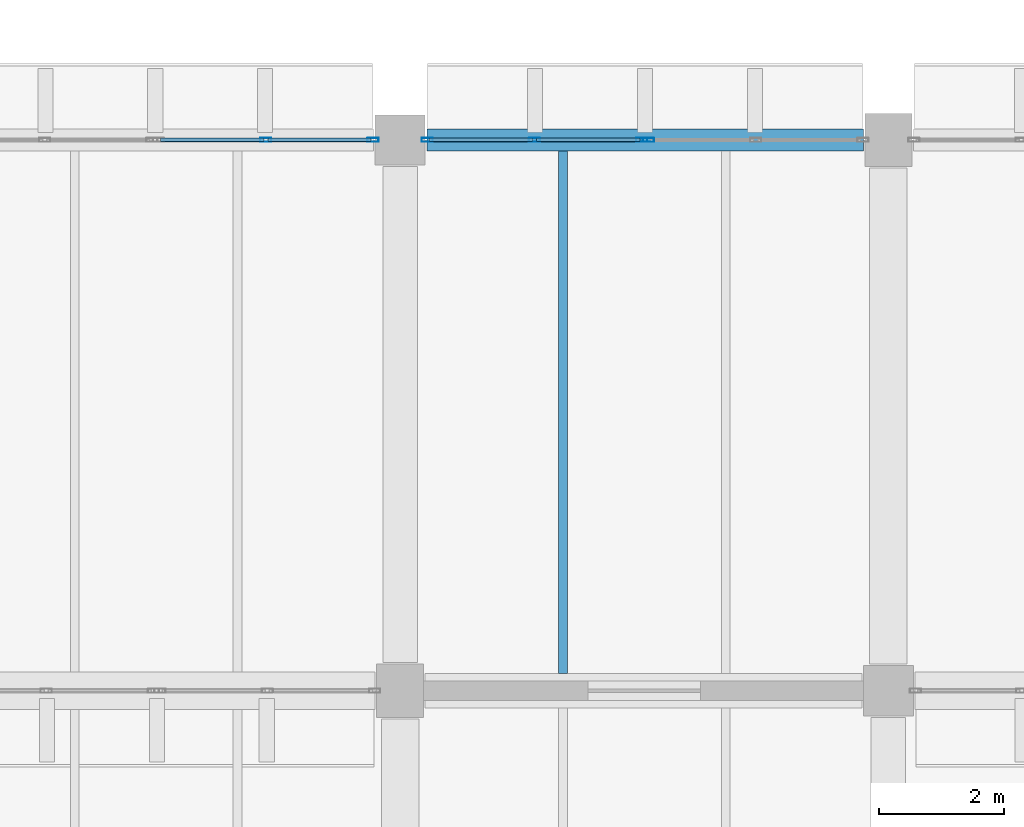
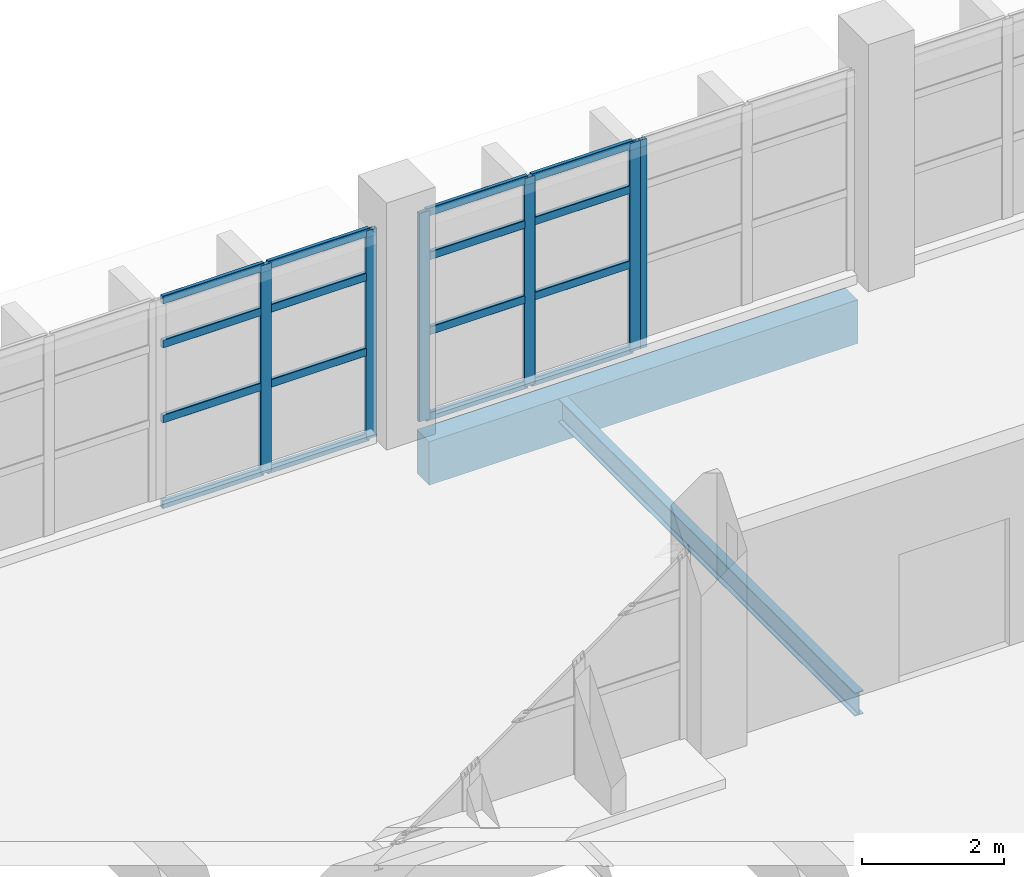
# One storey, part 21 of 76: 22 members, 2 beams, 3 elements without a shape of their own.
"""IFC4 building model written with IfcOpenShell, lengths in metres."""

from ifc_helpers import new_model, si_unit, direction, frame, origin, origin_2d, place, context, subcontext, project, spatial, rectangle, hollow_rectangle, i_section, extrude, material, material_profile, profile_set, type_object, element, aggregate, save


model = new_model("IFC4")

# Units and contexts
model_context = context("Model", 3, precision=1e-05, world=origin(), true_north=direction((0.0, 1.0)))
body_context = subcontext(model_context, "Body", "Model", "MODEL_VIEW")
ifc_project = project(units=[si_unit("LENGTHUNIT", "METRE"), si_unit("AREAUNIT", "SQUARE_METRE"), si_unit("VOLUMEUNIT", "CUBIC_METRE"), si_unit("PLANEANGLEUNIT", "RADIAN"), si_unit("MASSUNIT", "GRAM", prefix="KILO")], contexts=[model_context])

# Site, building, storey
site_placement = place(None, origin())
site = spatial("IfcSite", under=ifc_project, at=site_placement, CompositionType="ELEMENT")
building_placement = place(site_placement, origin())
building = spatial("IfcBuilding", under=site, at=building_placement, Name="Varnakota Cinema and Media Centre", CompositionType="ELEMENT")
storey_placement = place(building_placement, origin())
storey = spatial("IfcBuildingStorey", under=building, at=storey_placement, Name="L00", CompositionType="ELEMENT", Elevation=0.0)

# Beams
ifc_material_1 = material(Name="Concrete M40", Category="concrete")
ifc_material_profile_1 = material_profile(ifc_material_1, rectangle(XDim=0.35009765625, YDim=0.75, at=origin_2d()), Name="RCB 350x750")
ifc_profile_set_1 = profile_set([ifc_material_profile_1], Name="Concrete M40")
beam_type_1 = type_object("IfcBeamType", Name="BM-SP-350x750", PredefinedType="SPANDREL", material=ifc_profile_set_1)
beam_1_placement = place(storey_placement, frame((59.824951171875, 44.0, -0.655029296875), z_axis=(1.0, 0.0, 0.0), x_axis=(0.0, 1.0, 0.0)))
element("IfcBeam", 1, at=beam_1_placement, inside=storey, type_object=beam_type_1, Name="L00 girder H-J/6", PredefinedType="SPANDREL", context=body_context, shape_type="SweptSolid", body=[
    extrude(rectangle(XDim=0.35009765625, YDim=0.75, at=origin_2d()), origin(), (0.0, 0.0, 1.0), 6.97509765625),
])
ifc_material_2 = material(Name="Structural steel Grade 350 (E350)", Category="steel")
ifc_material_profile_2 = material_profile(ifc_material_2, i_section(OverallWidth=0.139892578125, OverallDepth=0.39990234375, WebThickness=0.0087890625, FlangeThickness=0.01611328125, FilletRadius=0.013916015625, at=origin_2d()), Name="ISMB 400")
ifc_profile_set_2 = profile_set([ifc_material_profile_2], Name="Structural steel Grade 350 (E350)")
beam_type_2 = type_object("IfcBeamType", Name="BM-ST-ISMB400", PredefinedType="JOIST", material=ifc_profile_set_2)
beam_2_placement = place(storey_placement, frame((62.0, 35.47509765625, -0.47998046875), z_axis=(0.0, 1.0, 0.0), x_axis=(-1.0, 0.0, 0.0)))
element("IfcBeam", 2, at=beam_2_placement, inside=storey, type_object=beam_type_2, Name="L00 steel joist H-J/5-6 #1", PredefinedType="JOIST", context=body_context, shape_type="SweptSolid", body=[
    extrude(i_section(OverallWidth=0.139892578125, OverallDepth=0.39990234375, WebThickness=0.0087890625, FlangeThickness=0.01611328125, FilletRadius=0.013916015625, at=origin_2d()), origin(), (0.0, 0.0, 1.0), 8.349853515625),
])

# Curtain wall, members
ifc_material_3 = material(Name="Thermally broken anodised aluminium AW-6063", Category="aluminium")
curtain_wall_type = type_object("IfcCurtainWallType", Name="CW-STD-349x358", PredefinedType="USERDEFINED", material=ifc_material_3)
curtain_wall_1_placement = place(storey_placement, origin())
curtain_wall_1 = element("IfcCurtainWall", 3, at=curtain_wall_1_placement, inside=storey, type_object=curtain_wall_type, Name="L00 curtain wall CW-L00-LINK-N-02-2", ObjectType="UNITISED CURTAIN WALL", PredefinedType="USERDEFINED")
ifc_material_4 = material(Name="Thermally broken anodised aluminium AW-6063", Category="aluminium")
ifc_material_profile_3 = material_profile(ifc_material_4, hollow_rectangle(XDim=0.06494140625, YDim=0.179931640625, WallThickness=0.00390625, InnerFilletRadius=0.00390625, OuterFilletRadius=0.008056640625, at=origin_2d()), Name="AL-MULLION 180x65x4")
ifc_profile_set_3 = profile_set([ifc_material_profile_3], Name="Thermally broken anodised aluminium AW-6063")
member_type_1 = type_object("IfcMemberType", Name="CWM-AL-180", PredefinedType="MULLION", material=ifc_profile_set_3)
member_1_placement = place(storey_placement, frame((57.253662109375, 44.0, 0.0), z_axis=(0.0, 0.0, 1.0), x_axis=(0.0, 1.0, 0.0)))
member_1 = element("IfcMember", 4, at=member_1_placement, type_object=member_type_1, Name="CW08 mullion 2", PredefinedType="MULLION", context=body_context, shape_type="SweptSolid", body=[
    extrude(hollow_rectangle(XDim=0.06494140625, YDim=0.179931640625, WallThickness=0.00390625, InnerFilletRadius=0.00390625, OuterFilletRadius=0.008056640625, at=origin_2d()), origin(), (0.0, 0.0, 1.0), 3.5849609375),
])
member_2_placement = place(storey_placement, frame((58.967529296875, 44.0, 0.0), z_axis=(0.0, 0.0, 1.0), x_axis=(0.0, 1.0, 0.0)))
member_2 = element("IfcMember", 5, at=member_2_placement, type_object=member_type_1, Name="CW08 mullion 3", PredefinedType="MULLION", context=body_context, shape_type="SweptSolid", body=[
    extrude(hollow_rectangle(XDim=0.06494140625, YDim=0.179931640625, WallThickness=0.00390625, InnerFilletRadius=0.00390625, OuterFilletRadius=0.008056640625, at=origin_2d()), origin(), (0.0, 0.0, 1.0), 3.5849609375),
])

curtain_wall_2_placement = place(storey_placement, origin())
curtain_wall_2 = element("IfcCurtainWall", 6, at=curtain_wall_2_placement, inside=storey, type_object=curtain_wall_type, Name="L00 curtain wall CW-L00-LINK-N-03-1", ObjectType="UNITISED CURTAIN WALL", PredefinedType="USERDEFINED")
member_3_placement = place(storey_placement, frame((59.83251953125, 44.0, 0.0), z_axis=(0.0, 0.0, 1.0), x_axis=(0.0, 1.0, 0.0)))
member_3 = element("IfcMember", 7, at=member_3_placement, type_object=member_type_1, Name="CW08 mullion 1", PredefinedType="MULLION", context=body_context, shape_type="SweptSolid", body=[
    extrude(hollow_rectangle(XDim=0.06494140625, YDim=0.179931640625, WallThickness=0.00390625, InnerFilletRadius=0.00390625, OuterFilletRadius=0.008056640625, at=origin_2d()), origin(), (0.0, 0.0, 1.0), 3.5849609375),
])
member_4_placement = place(storey_placement, frame((61.546142578125, 44.0, 0.0), z_axis=(0.0, 0.0, 1.0), x_axis=(0.0, 1.0, 0.0)))
member_4 = element("IfcMember", 8, at=member_4_placement, type_object=member_type_1, Name="CW08 mullion 2", PredefinedType="MULLION", context=body_context, shape_type="SweptSolid", body=[
    extrude(hollow_rectangle(XDim=0.06494140625, YDim=0.179931640625, WallThickness=0.00390625, InnerFilletRadius=0.00390625, OuterFilletRadius=0.008056640625, at=origin_2d()), origin(), (0.0, 0.0, 1.0), 3.5849609375),
])
member_5_placement = place(storey_placement, frame((63.260009765625, 44.0, 0.0), z_axis=(0.0, 0.0, 1.0), x_axis=(0.0, 1.0, 0.0)))
member_5 = element("IfcMember", 9, at=member_5_placement, type_object=member_type_1, Name="CW08 mullion 3", PredefinedType="MULLION", context=body_context, shape_type="SweptSolid", body=[
    extrude(hollow_rectangle(XDim=0.06494140625, YDim=0.179931640625, WallThickness=0.00390625, InnerFilletRadius=0.00390625, OuterFilletRadius=0.008056640625, at=origin_2d()), origin(), (0.0, 0.0, 1.0), 3.5849609375),
])

# Curtain wall, member
curtain_wall_3_placement = place(storey_placement, origin())
curtain_wall_3 = element("IfcCurtainWall", 10, at=curtain_wall_3_placement, inside=storey, type_object=curtain_wall_type, Name="L00 curtain wall CW-L00-LINK-N-03-2", ObjectType="UNITISED CURTAIN WALL", PredefinedType="USERDEFINED")
member_6_placement = place(storey_placement, frame((63.364990234375, 44.0, 0.0), z_axis=(0.0, 0.0, 1.0), x_axis=(0.0, 1.0, 0.0)))
member_6 = element("IfcMember", 11, at=member_6_placement, type_object=member_type_1, Name="CW08 mullion 1", PredefinedType="MULLION", context=body_context, shape_type="SweptSolid", body=[
    extrude(hollow_rectangle(XDim=0.06494140625, YDim=0.179931640625, WallThickness=0.00390625, InnerFilletRadius=0.00390625, OuterFilletRadius=0.008056640625, at=origin_2d()), origin(), (0.0, 0.0, 1.0), 3.5849609375),
])
aggregate(curtain_wall_3, [member_6])

# Member
ifc_material_5 = material(Name="Thermally broken anodised aluminium AW-6063", Category="aluminium")
ifc_material_profile_4 = material_profile(ifc_material_5, hollow_rectangle(XDim=0.06494140625, YDim=0.139892578125, WallThickness=0.00390625, InnerFilletRadius=0.00390625, OuterFilletRadius=0.008056640625, at=origin_2d()), Name="AL-TRANSOM 140x65x4")
ifc_profile_set_4 = profile_set([ifc_material_profile_4], Name="Thermally broken anodised aluminium AW-6063")
member_type_2 = type_object("IfcMemberType", Name="CWT-AL-140", PredefinedType="USERDEFINED", material=ifc_profile_set_4)
member_7_placement = place(storey_placement, frame((55.572509765625, 44.0, 0.032470703125), z_axis=(1.0, 0.0, 0.0), x_axis=(0.0, 1.0, 0.0)))
member_7 = element("IfcMember", 12, at=member_7_placement, type_object=member_type_2, Name="CW08 transom 1.1", ObjectType="TRANSOM", PredefinedType="USERDEFINED", context=body_context, shape_type="SweptSolid", body=[
    extrude(hollow_rectangle(XDim=0.06494140625, YDim=0.139892578125, WallThickness=0.00390625, InnerFilletRadius=0.00390625, OuterFilletRadius=0.008056640625, at=origin_2d()), origin(), (0.0, 0.0, 1.0), 1.648681640625),
])

member_8_placement = place(storey_placement, frame((55.572509765625, 44.0, 1.505615234375), z_axis=(1.0, 0.0, 0.0), x_axis=(0.0, 1.0, 0.0)))
member_8 = element("IfcMember", 13, at=member_8_placement, type_object=member_type_2, Name="CW08 transom 1.2", ObjectType="TRANSOM", PredefinedType="USERDEFINED", context=body_context, shape_type="SweptSolid", body=[
    extrude(hollow_rectangle(XDim=0.06494140625, YDim=0.139892578125, WallThickness=0.00390625, InnerFilletRadius=0.00390625, OuterFilletRadius=0.008056640625, at=origin_2d()), origin(), (0.0, 0.0, 1.0), 1.648681640625),
])

member_9_placement = place(storey_placement, frame((55.572509765625, 44.0, 2.79638671875), z_axis=(1.0, 0.0, 0.0), x_axis=(0.0, 1.0, 0.0)))
member_9 = element("IfcMember", 14, at=member_9_placement, type_object=member_type_2, Name="CW08 transom 1.3", ObjectType="TRANSOM", PredefinedType="USERDEFINED", context=body_context, shape_type="SweptSolid", body=[
    extrude(hollow_rectangle(XDim=0.06494140625, YDim=0.139892578125, WallThickness=0.00390625, InnerFilletRadius=0.00390625, OuterFilletRadius=0.008056640625, at=origin_2d()), origin(), (0.0, 0.0, 1.0), 1.648681640625),
])

member_10_placement = place(storey_placement, frame((55.572509765625, 44.0, 3.552490234375), z_axis=(1.0, 0.0, 0.0), x_axis=(0.0, 1.0, 0.0)))
member_10 = element("IfcMember", 15, at=member_10_placement, type_object=member_type_2, Name="CW08 transom 1.4", ObjectType="TRANSOM", PredefinedType="USERDEFINED", context=body_context, shape_type="SweptSolid", body=[
    extrude(hollow_rectangle(XDim=0.06494140625, YDim=0.139892578125, WallThickness=0.00390625, InnerFilletRadius=0.00390625, OuterFilletRadius=0.008056640625, at=origin_2d()), origin(), (0.0, 0.0, 1.0), 1.648681640625),
])

member_11_placement = place(storey_placement, frame((57.2861328125, 44.0, 0.032470703125), z_axis=(1.0, 0.0, 0.0), x_axis=(0.0, 1.0, 0.0)))
member_11 = element("IfcMember", 16, at=member_11_placement, type_object=member_type_2, Name="CW08 transom 2.1", ObjectType="TRANSOM", PredefinedType="USERDEFINED", context=body_context, shape_type="SweptSolid", body=[
    extrude(hollow_rectangle(XDim=0.06494140625, YDim=0.139892578125, WallThickness=0.00390625, InnerFilletRadius=0.00390625, OuterFilletRadius=0.008056640625, at=origin_2d()), origin(), (0.0, 0.0, 1.0), 1.64892578125),
])

member_12_placement = place(storey_placement, frame((57.2861328125, 44.0, 1.505615234375), z_axis=(1.0, 0.0, 0.0), x_axis=(0.0, 1.0, 0.0)))
member_12 = element("IfcMember", 17, at=member_12_placement, type_object=member_type_2, Name="CW08 transom 2.2", ObjectType="TRANSOM", PredefinedType="USERDEFINED", context=body_context, shape_type="SweptSolid", body=[
    extrude(hollow_rectangle(XDim=0.06494140625, YDim=0.139892578125, WallThickness=0.00390625, InnerFilletRadius=0.00390625, OuterFilletRadius=0.008056640625, at=origin_2d()), origin(), (0.0, 0.0, 1.0), 1.64892578125),
])

member_13_placement = place(storey_placement, frame((57.2861328125, 44.0, 2.79638671875), z_axis=(1.0, 0.0, 0.0), x_axis=(0.0, 1.0, 0.0)))
member_13 = element("IfcMember", 18, at=member_13_placement, type_object=member_type_2, Name="CW08 transom 2.3", ObjectType="TRANSOM", PredefinedType="USERDEFINED", context=body_context, shape_type="SweptSolid", body=[
    extrude(hollow_rectangle(XDim=0.06494140625, YDim=0.139892578125, WallThickness=0.00390625, InnerFilletRadius=0.00390625, OuterFilletRadius=0.008056640625, at=origin_2d()), origin(), (0.0, 0.0, 1.0), 1.64892578125),
])

member_14_placement = place(storey_placement, frame((57.2861328125, 44.0, 3.552490234375), z_axis=(1.0, 0.0, 0.0), x_axis=(0.0, 1.0, 0.0)))
member_14 = element("IfcMember", 19, at=member_14_placement, type_object=member_type_2, Name="CW08 transom 2.4", ObjectType="TRANSOM", PredefinedType="USERDEFINED", context=body_context, shape_type="SweptSolid", body=[
    extrude(hollow_rectangle(XDim=0.06494140625, YDim=0.139892578125, WallThickness=0.00390625, InnerFilletRadius=0.00390625, OuterFilletRadius=0.008056640625, at=origin_2d()), origin(), (0.0, 0.0, 1.0), 1.64892578125),
])

aggregate(curtain_wall_1, [member_1, member_2, member_7, member_8, member_9, member_10, member_11, member_12, member_13, member_14])

member_15_placement = place(storey_placement, frame((59.864990234375, 44.0, 0.032470703125), z_axis=(1.0, 0.0, 0.0), x_axis=(0.0, 1.0, 0.0)))
member_15 = element("IfcMember", 20, at=member_15_placement, type_object=member_type_2, Name="CW08 transom 1.1", ObjectType="TRANSOM", PredefinedType="USERDEFINED", context=body_context, shape_type="SweptSolid", body=[
    extrude(hollow_rectangle(XDim=0.06494140625, YDim=0.139892578125, WallThickness=0.00390625, InnerFilletRadius=0.00390625, OuterFilletRadius=0.008056640625, at=origin_2d()), origin(), (0.0, 0.0, 1.0), 1.648681640625),
])

member_16_placement = place(storey_placement, frame((59.864990234375, 44.0, 1.505615234375), z_axis=(1.0, 0.0, 0.0), x_axis=(0.0, 1.0, 0.0)))
member_16 = element("IfcMember", 21, at=member_16_placement, type_object=member_type_2, Name="CW08 transom 1.2", ObjectType="TRANSOM", PredefinedType="USERDEFINED", context=body_context, shape_type="SweptSolid", body=[
    extrude(hollow_rectangle(XDim=0.06494140625, YDim=0.139892578125, WallThickness=0.00390625, InnerFilletRadius=0.00390625, OuterFilletRadius=0.008056640625, at=origin_2d()), origin(), (0.0, 0.0, 1.0), 1.648681640625),
])

member_17_placement = place(storey_placement, frame((59.864990234375, 44.0, 2.79638671875), z_axis=(1.0, 0.0, 0.0), x_axis=(0.0, 1.0, 0.0)))
member_17 = element("IfcMember", 22, at=member_17_placement, type_object=member_type_2, Name="CW08 transom 1.3", ObjectType="TRANSOM", PredefinedType="USERDEFINED", context=body_context, shape_type="SweptSolid", body=[
    extrude(hollow_rectangle(XDim=0.06494140625, YDim=0.139892578125, WallThickness=0.00390625, InnerFilletRadius=0.00390625, OuterFilletRadius=0.008056640625, at=origin_2d()), origin(), (0.0, 0.0, 1.0), 1.648681640625),
])

member_18_placement = place(storey_placement, frame((59.864990234375, 44.0, 3.552490234375), z_axis=(1.0, 0.0, 0.0), x_axis=(0.0, 1.0, 0.0)))
member_18 = element("IfcMember", 23, at=member_18_placement, type_object=member_type_2, Name="CW08 transom 1.4", ObjectType="TRANSOM", PredefinedType="USERDEFINED", context=body_context, shape_type="SweptSolid", body=[
    extrude(hollow_rectangle(XDim=0.06494140625, YDim=0.139892578125, WallThickness=0.00390625, InnerFilletRadius=0.00390625, OuterFilletRadius=0.008056640625, at=origin_2d()), origin(), (0.0, 0.0, 1.0), 1.648681640625),
])

member_19_placement = place(storey_placement, frame((61.578857421875, 44.0, 0.032470703125), z_axis=(1.0, 0.0, 0.0), x_axis=(0.0, 1.0, 0.0)))
member_19 = element("IfcMember", 24, at=member_19_placement, type_object=member_type_2, Name="CW08 transom 2.1", ObjectType="TRANSOM", PredefinedType="USERDEFINED", context=body_context, shape_type="SweptSolid", body=[
    extrude(hollow_rectangle(XDim=0.06494140625, YDim=0.139892578125, WallThickness=0.00390625, InnerFilletRadius=0.00390625, OuterFilletRadius=0.008056640625, at=origin_2d()), origin(), (0.0, 0.0, 1.0), 1.648681640625),
])

member_20_placement = place(storey_placement, frame((61.578857421875, 44.0, 1.505615234375), z_axis=(1.0, 0.0, 0.0), x_axis=(0.0, 1.0, 0.0)))
member_20 = element("IfcMember", 25, at=member_20_placement, type_object=member_type_2, Name="CW08 transom 2.2", ObjectType="TRANSOM", PredefinedType="USERDEFINED", context=body_context, shape_type="SweptSolid", body=[
    extrude(hollow_rectangle(XDim=0.06494140625, YDim=0.139892578125, WallThickness=0.00390625, InnerFilletRadius=0.00390625, OuterFilletRadius=0.008056640625, at=origin_2d()), origin(), (0.0, 0.0, 1.0), 1.648681640625),
])

member_21_placement = place(storey_placement, frame((61.578857421875, 44.0, 2.79638671875), z_axis=(1.0, 0.0, 0.0), x_axis=(0.0, 1.0, 0.0)))
member_21 = element("IfcMember", 26, at=member_21_placement, type_object=member_type_2, Name="CW08 transom 2.3", ObjectType="TRANSOM", PredefinedType="USERDEFINED", context=body_context, shape_type="SweptSolid", body=[
    extrude(hollow_rectangle(XDim=0.06494140625, YDim=0.139892578125, WallThickness=0.00390625, InnerFilletRadius=0.00390625, OuterFilletRadius=0.008056640625, at=origin_2d()), origin(), (0.0, 0.0, 1.0), 1.648681640625),
])

member_22_placement = place(storey_placement, frame((61.578857421875, 44.0, 3.552490234375), z_axis=(1.0, 0.0, 0.0), x_axis=(0.0, 1.0, 0.0)))
member_22 = element("IfcMember", 27, at=member_22_placement, type_object=member_type_2, Name="CW08 transom 2.4", ObjectType="TRANSOM", PredefinedType="USERDEFINED", context=body_context, shape_type="SweptSolid", body=[
    extrude(hollow_rectangle(XDim=0.06494140625, YDim=0.139892578125, WallThickness=0.00390625, InnerFilletRadius=0.00390625, OuterFilletRadius=0.008056640625, at=origin_2d()), origin(), (0.0, 0.0, 1.0), 1.648681640625),
])

aggregate(curtain_wall_2, [member_3, member_4, member_5, member_15, member_16, member_17, member_18, member_19, member_20, member_21, member_22])

save(model, "model.ifc")
